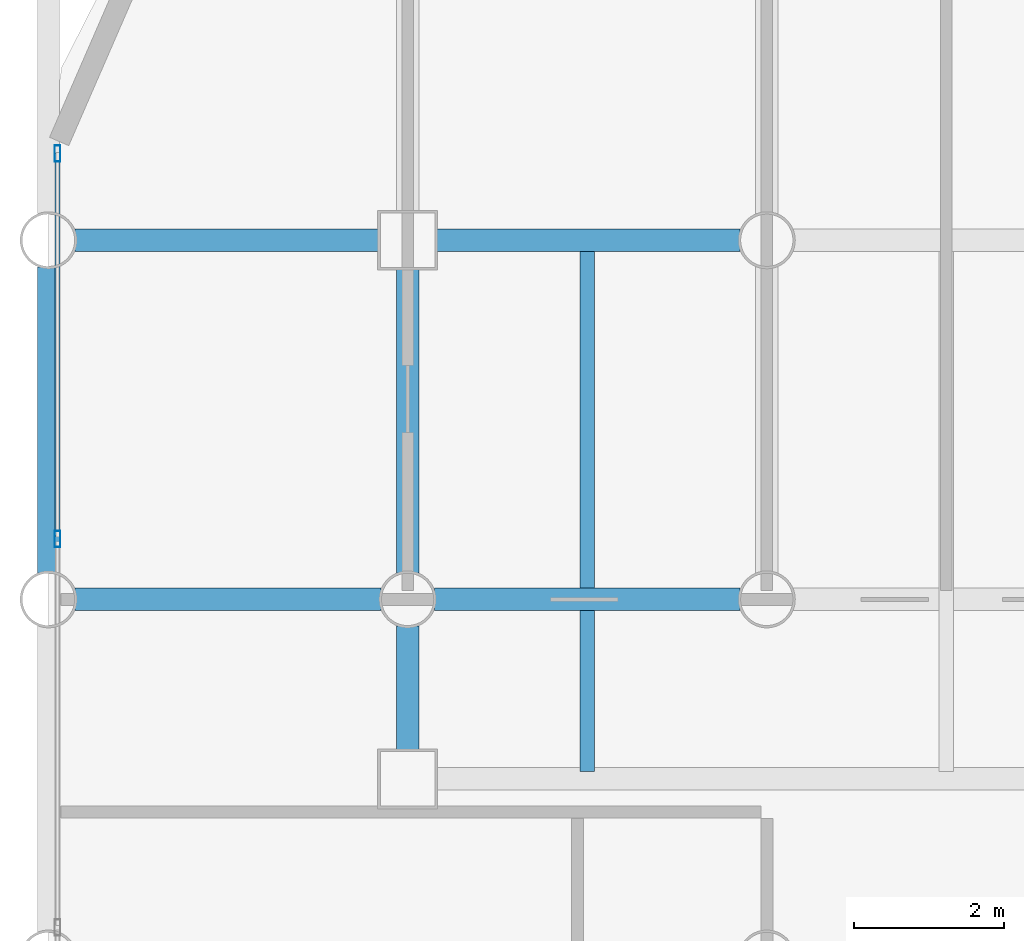
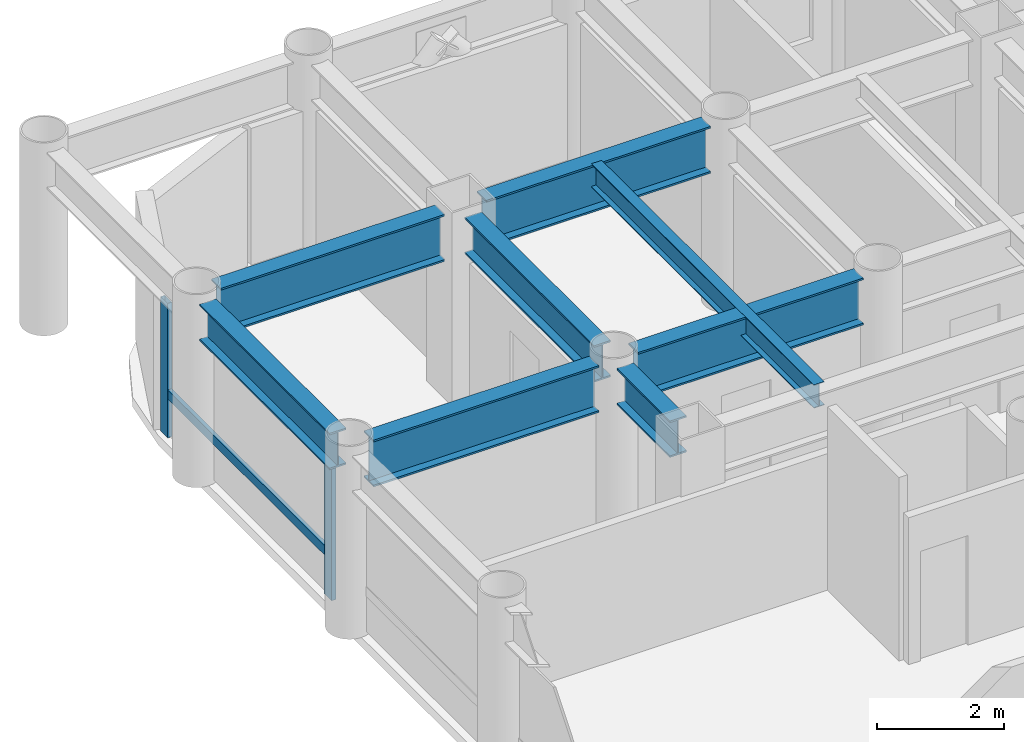
# One storey, part 9 of 20: 8 beams, 3 members, 1 element without a shape of its own.
"""IFC4 building model written with IfcOpenShell, lengths in metres."""

import ifcopenshell
import ifcopenshell.guid

model = None  # the IFC model being written
_history = None  # IfcOwnerHistory: only IFC2X3 demands one
_inside = {}  # id of a spatial element -> (the spatial element, [elements in it])
_under = {}  # id of a project, library or spatial element -> (it, [spatial elements below it])
_declared = {}  # id of a project -> (the project, [libraries it declares])
_typed = {}  # id of a type object -> (the type object, [elements of that type])
_made_of = {}  # id of a material, layer set ... -> (it, [elements and type objects made of it])


def new_model(schema):
    """Start an empty IFC model of exactly this schema.

    Asked for "IFC4X3", IfcOpenShell would pick the latest addendum, in which some entities
    have other attributes; the version numbers below select the first issue.
    IFC2X3 requires an IfcOwnerHistory on every rooted entity: one is made here for all.
    """
    global model, _history
    if schema == "IFC4X3":
        model = ifcopenshell.file(schema_version=(4, 3, 0, 0))
    else:
        model = ifcopenshell.file(schema=schema)
    _inside.clear()
    _under.clear()
    _declared.clear()
    _typed.clear()
    _made_of.clear()
    _history = None
    if model.schema == "IFC2X3":
        org = make("IfcOrganization", Name="unknown")
        user = make(
            "IfcPersonAndOrganization",
            ThePerson=make("IfcPerson", FamilyName="unknown"),
            TheOrganization=org,
        )
        app = make(
            "IfcApplication",
            ApplicationDeveloper=org,
            Version="unknown",
            ApplicationFullName="unknown",
            ApplicationIdentifier="unknown",
        )
        _history = make(
            "IfcOwnerHistory",
            OwningUser=user,
            OwningApplication=app,
            ChangeAction="ADDED",
            CreationDate=0,
        )
    return model


def make(cls, **values):
    """One entity of the class cls with the attributes given. An attribute that is None is left unset."""
    return model.create_entity(
        cls, **{name: value for name, value in values.items() if value is not None}
    )


def rooted(cls, **values):
    """An entity with a GlobalId (a new one), such as an element, a storey or a relation."""
    return make(cls, GlobalId=ifcopenshell.guid.new(), OwnerHistory=_history, **values)


def si_unit(unit_type, name, prefix=None):
    """IfcSIUnit, for example si_unit("LENGTHUNIT", "METRE", prefix="MILLI")."""
    return make("IfcSIUnit", UnitType=unit_type, Prefix=prefix, Name=name)


def assignment(units):
    """IfcUnitAssignment: the units of a project."""
    return None if units is None else make("IfcUnitAssignment", Units=units)


def point(xyz):
    """IfcCartesianPoint."""
    return None if xyz is None else make("IfcCartesianPoint", Coordinates=xyz)


def direction(xyz):
    """IfcDirection."""
    return None if xyz is None else make("IfcDirection", DirectionRatios=xyz)


def frame(location, z_axis=None, x_axis=None):
    """IfcAxis2Placement3D, a coordinate frame: its origin and axes. An axis left out is left unset."""
    return make(
        "IfcAxis2Placement3D",
        Location=point(location),
        Axis=direction(z_axis),
        RefDirection=direction(x_axis),
    )


def frame_2d(location, x_axis=None):
    """IfcAxis2Placement2D, a coordinate frame in the plane: its origin and x axis."""
    return make(
        "IfcAxis2Placement2D", Location=point(location), RefDirection=direction(x_axis)
    )


def origin():
    """The frame at (0, 0, 0) with its axes left unset."""
    return frame((0.0, 0.0, 0.0))


def origin_2d():
    """The frame at (0, 0) in the plane with its x axis left unset."""
    return frame_2d((0.0, 0.0))


def place(relative_to, where):
    """IfcLocalPlacement: puts the frame where relative to a parent placement (None: the world)."""
    return make(
        "IfcLocalPlacement", PlacementRelTo=relative_to, RelativePlacement=where
    )


def context(
    kind, dimensions, precision=None, world=None, true_north=None, identifier=None
):
    """IfcGeometricRepresentationContext, for example the 3D "Model" context."""
    return make(
        "IfcGeometricRepresentationContext",
        ContextIdentifier=identifier,
        ContextType=kind,
        CoordinateSpaceDimension=dimensions,
        Precision=precision,
        WorldCoordinateSystem=world,
        TrueNorth=true_north,
    )


def subcontext(parent, identifier, kind, view, scale=None):
    """IfcGeometricRepresentationSubContext, for example "Body" below "Model"."""
    return make(
        "IfcGeometricRepresentationSubContext",
        ContextIdentifier=identifier,
        ContextType=kind,
        ParentContext=parent,
        TargetScale=scale,
        TargetView=view,
    )


def project(units=None, contexts=None):
    """IfcProject with its units and contexts."""
    return rooted(
        "IfcProject",
        Name="project",
        RepresentationContexts=contexts,
        UnitsInContext=assignment(units),
    )


def spatial(cls, under=None, at=None, **own):
    """A site, building, storey or space (cls), placed at a placement, below another one or the project."""
    s = rooted(cls, ObjectPlacement=at, **own)
    if under is not None:
        _under.setdefault(under.id(), (under, []))[1].append(s)
    return s


def profile(cls, at=None, kind="AREA", **sizes):
    """A parametric profile (cls). Its sizes go by their IFC names, for example OverallWidth=200.0."""
    return make(cls, ProfileType=kind, Position=at, **sizes)


def hollow_rectangle(**sizes):
    """IfcRectangleHollowProfileDef."""
    return profile("IfcRectangleHollowProfileDef", **sizes)


def i_section(**sizes):
    """IfcIShapeProfileDef."""
    return profile("IfcIShapeProfileDef", **sizes)


def extrude(swept, where, along, depth):
    """IfcExtrudedAreaSolid: the profile swept, set in the frame where, extruded along a direction by depth."""
    return make(
        "IfcExtrudedAreaSolid",
        SweptArea=swept,
        Position=where,
        ExtrudedDirection=direction(along),
        Depth=depth,
    )


def shape(context_of_items, identifier, shape_type, items):
    """IfcShapeRepresentation: the items that make up one representation, for example the "Body"."""
    return make(
        "IfcShapeRepresentation",
        ContextOfItems=context_of_items,
        RepresentationIdentifier=identifier,
        RepresentationType=shape_type,
        Items=items,
    )


def material(Name=None, Category=None):
    """IfcMaterial."""
    return make("IfcMaterial", Name=Name, Category=Category)


def layer(
    of_material, thickness, ventilated=None, Name=None, Category=None, Priority=None
):
    """IfcMaterialLayer: one layer of a wall or slab, of a material (None: an air gap)."""
    return make(
        "IfcMaterialLayer",
        Material=of_material,
        LayerThickness=thickness,
        IsVentilated=ventilated,
        Name=Name,
        Category=Category,
        Priority=Priority,
    )


def layer_set(layers, Name=None):
    """IfcMaterialLayerSet."""
    return make("IfcMaterialLayerSet", MaterialLayers=layers, LayerSetName=Name)


def material_profile(
    of_material, cross_section, Name=None, Category=None, Priority=None
):
    """IfcMaterialProfile: a cross section and its material."""
    return make(
        "IfcMaterialProfile",
        Name=Name,
        Material=of_material,
        Profile=cross_section,
        Priority=Priority,
        Category=Category,
    )


def profile_set(profiles, Name=None, composite=None):
    """IfcMaterialProfileSet."""
    return make(
        "IfcMaterialProfileSet",
        Name=Name,
        MaterialProfiles=profiles,
        CompositeProfile=composite,
    )


def made_of(thing, what):
    """Note that an element or type object is made of a material, layer set ...; save() writes the relation."""
    if what is not None:
        _made_of.setdefault(what.id(), (what, []))[1].append(thing)
    return thing


def type_object(cls, material=None, **own):
    """A type object (cls), such as IfcWallType, which elements share."""
    return made_of(rooted(cls, **own), material)


def element(
    cls,
    number,
    at=None,
    inside=None,
    cuts=None,
    type_object=None,
    material=None,
    context=None,
    identifier="Body",
    shape_type=None,
    held_by="IfcProductDefinitionShape",
    body=None,
    shapes=None,
    **own,
):
    """One element of the class cls, such as IfcWall. Its Tag is "e" and its number.

    at: its placement. inside: the storey or other place that contains it. cuts: it is an
    opening in that element (IfcRelVoidsElement). A single representation is given by context,
    identifier, shape_type and body (its items); several are given by shapes. held_by: the class
    of the entity that holds the representations. save() writes the other relations.
    """
    e = rooted(cls, Tag="e%d" % number, ObjectPlacement=at, **own)
    if body is not None:
        shapes = [shape(context, identifier, shape_type, body)]
    if shapes is not None:
        e.Representation = make(held_by, Representations=shapes)
    if inside is not None:
        _inside.setdefault(inside.id(), (inside, []))[1].append(e)
    if cuts is not None:
        rooted(
            "IfcRelVoidsElement", RelatingBuildingElement=cuts, RelatedOpeningElement=e
        )
    if type_object is not None:
        _typed.setdefault(type_object.id(), (type_object, []))[1].append(e)
    return made_of(e, material)


def aggregate(whole, parts):
    """IfcRelAggregates: a whole, such as a stair, and the parts it consists of."""
    return rooted("IfcRelAggregates", RelatingObject=whole, RelatedObjects=parts)


def save(model, path):
    """Write the relations noted so far, then the file.

    IfcRelAggregates (storeys below a building ...), IfcRelContainedInSpatialStructure (elements
    in a storey), IfcRelDefinesByType, IfcRelAssociatesMaterial and IfcRelDeclares: one each for
    every whole, place, type object, material and project.
    """
    for whole, parts in _under.values():
        aggregate(whole, parts)
    for where, things in _inside.values():
        rooted(
            "IfcRelContainedInSpatialStructure",
            RelatedElements=things,
            RelatingStructure=where,
        )
    for kind, things in _typed.values():
        rooted("IfcRelDefinesByType", RelatedObjects=things, RelatingType=kind)
    for what, things in _made_of.values():
        rooted("IfcRelAssociatesMaterial", RelatedObjects=things, RelatingMaterial=what)
    for by, libraries in _declared.values():
        rooted("IfcRelDeclares", RelatingContext=by, RelatedDefinitions=libraries)
    model.write(path)


model = new_model("IFC4")

# Units and contexts
model_context = context("Model", 3, precision=1e-05, world=origin(), true_north=direction((0.0, 1.0)))
body_context = subcontext(model_context, "Body", "Model", "MODEL_VIEW")
ifc_project = project(units=[si_unit("LENGTHUNIT", "METRE"), si_unit("AREAUNIT", "SQUARE_METRE"), si_unit("VOLUMEUNIT", "CUBIC_METRE"), si_unit("PLANEANGLEUNIT", "RADIAN"), si_unit("MASSUNIT", "GRAM", prefix="KILO")], contexts=[model_context])

# Site, building, storey
site_placement = place(None, origin())
site = spatial("IfcSite", under=ifc_project, at=site_placement, CompositionType="ELEMENT")
building_placement = place(site_placement, origin())
building = spatial("IfcBuilding", under=site, at=building_placement, Name="Kallvorn Hotel Tower", CompositionType="ELEMENT")
storey_placement = place(building_placement, frame((0.0, 0.0, 78.10009765625)))
storey = spatial("IfcBuildingStorey", under=building, at=storey_placement, Name="L18", CompositionType="ELEMENT", Elevation=78.10009765625)

# Beams
ifc_material_1 = material(Name="Structural steel S355JR", Category="steel")
ifc_material_profile_1 = material_profile(ifc_material_1, i_section(OverallWidth=0.300048828125, OverallDepth=0.699951171875, WebThickness=0.01708984375, FlangeThickness=0.031982421875, at=origin_2d()), Name="HE 700 B")
ifc_profile_set_1 = profile_set([ifc_material_profile_1], Name="Structural steel S355JR")
beam_type_1 = type_object("IfcBeamType", Name="BM_HE700B", PredefinedType="BEAM", material=ifc_profile_set_1)
beam_1_placement = place(storey_placement, frame((-28.800048828125, 9.9560546875, 3.169921875), z_axis=(0.0, 1.0, 0.0), x_axis=(-1.0, 0.0, 0.0)))
element("IfcBeam", 1, at=beam_1_placement, inside=storey, type_object=beam_type_1, Name="L19 Primary Y-Girder 79", PredefinedType="BEAM", context=body_context, shape_type="SweptSolid", body=[
    extrude(i_section(OverallWidth=0.300048828125, OverallDepth=0.699951171875, WebThickness=0.01708984375, FlangeThickness=0.031982421875, at=origin_2d()), origin(), (0.0, 0.0, 1.0), 4.087890625),
])
beam_2_placement = place(storey_placement, frame((-24.0, 7.574951171875, 3.169921875), z_axis=(0.0, 1.0, 0.0), x_axis=(-1.0, 0.0, 0.0)))
element("IfcBeam", 2, at=beam_2_placement, inside=storey, type_object=beam_type_1, Name="L19 Primary Y-Girder 85", PredefinedType="BEAM", context=body_context, shape_type="SweptSolid", body=[
    extrude(i_section(OverallWidth=0.300048828125, OverallDepth=0.699951171875, WebThickness=0.01708984375, FlangeThickness=0.031982421875, at=origin_2d()), origin(), (0.0, 0.0, 1.0), 1.6689453125),
])
beam_3_placement = place(storey_placement, frame((-24.0, 9.9560546875, 3.169921875), z_axis=(0.0, 1.0, 0.0), x_axis=(-1.0, 0.0, 0.0)))
element("IfcBeam", 3, at=beam_3_placement, inside=storey, type_object=beam_type_1, Name="L19 Primary Y-Girder 86", PredefinedType="BEAM", context=body_context, shape_type="SweptSolid", body=[
    extrude(i_section(OverallWidth=0.300048828125, OverallDepth=0.699951171875, WebThickness=0.01708984375, FlangeThickness=0.031982421875, at=origin_2d()), origin(), (0.0, 0.0, 1.0), 4.06884765625),
])
ifc_material_2 = material(Name="Structural steel S355JR", Category="steel")
ifc_material_profile_2 = material_profile(ifc_material_2, i_section(OverallWidth=0.300048828125, OverallDepth=0.89990234375, WebThickness=0.0185546875, FlangeThickness=0.034912109375, at=origin_2d()), Name="HE 900 B")
ifc_profile_set_2 = profile_set([ifc_material_profile_2], Name="Structural steel S355JR")
beam_type_2 = type_object("IfcBeamType", Name="BM_HE900B", PredefinedType="BEAM", material=ifc_profile_set_2)
for number, where, z_axis, x_axis, name in (
    (4, (-28.444091796875, 9.60009765625, 3.06982421875), (1.0, 0.0, 0.0), (0.0, 1.0, 0.0), "L19 Primary X-Girder 42"),
    (5, (-23.64404296875, 9.60009765625, 3.06982421875), (1.0, 0.0, 0.0), (0.0, 1.0, 0.0), "L19 Primary X-Girder 43"),
):
    element("IfcBeam", number, at=place(storey_placement, frame(where, z_axis=z_axis, x_axis=x_axis)), inside=storey, type_object=beam_type_2, Name=name, PredefinedType="BEAM", context=body_context, shape_type="SweptSolid", body=[
        extrude(i_section(OverallWidth=0.300048828125, OverallDepth=0.89990234375, WebThickness=0.0185546875, FlangeThickness=0.034912109375, at=origin_2d()), origin(), (0.0, 0.0, 1.0), 4.088134765625),
    ])
for number, where, z_axis, x_axis, name in (
    (6, (-28.444091796875, 14.39990234375, 3.06982421875), (1.0, 0.0, 0.0), (0.0, 1.0, 0.0), "L19 Primary X-Girder 51"),
    (7, (-23.625, 14.39990234375, 3.06982421875), (1.0, 0.0, 0.0), (0.0, 1.0, 0.0), "L19 Primary X-Girder 52"),
):
    element("IfcBeam", number, at=place(storey_placement, frame(where, z_axis=z_axis, x_axis=x_axis)), inside=storey, type_object=beam_type_2, Name=name, PredefinedType="BEAM", context=body_context, shape_type="SweptSolid", body=[
        extrude(i_section(OverallWidth=0.300048828125, OverallDepth=0.89990234375, WebThickness=0.0185546875, FlangeThickness=0.034912109375, at=origin_2d()), origin(), (0.0, 0.0, 1.0), 4.069091796875),
    ])
ifc_material_3 = material(Name="Structural steel S355JR", Category="steel")
ifc_material_profile_3 = material_profile(ifc_material_3, i_section(OverallWidth=0.18994140625, OverallDepth=0.449951171875, WebThickness=0.009521484375, FlangeThickness=0.0146484375, at=origin_2d()), Name="IPE 450")
ifc_profile_set_3 = profile_set([ifc_material_profile_3], Name="Structural steel S355JR")
beam_type_3 = type_object("IfcBeamType", Name="BM_IPE450", PredefinedType="JOIST", material=ifc_profile_set_3)
beam_4_placement = place(storey_placement, frame((-21.60009765625, 7.300048828125, 3.294921875), z_axis=(0.0, 1.0, 0.0), x_axis=(-1.0, 0.0, 0.0)))
element("IfcBeam", 8, at=beam_4_placement, inside=storey, type_object=beam_type_3, Name="L19 Secondary Composite Joist 193", PredefinedType="JOIST", context=body_context, shape_type="SweptSolid", body=[
    extrude(i_section(OverallWidth=0.18994140625, OverallDepth=0.449951171875, WebThickness=0.009521484375, FlangeThickness=0.0146484375, at=origin_2d()), origin(), (0.0, 0.0, 1.0), 7.0),
])

# Curtain wall, members
ifc_material_4 = material(Name="Thermally broken black-anodised aluminium AA 6063-T6", Category="aluminium")
ifc_layer = layer(ifc_material_4, 0.199951171875)
ifc_layer_set = layer_set([ifc_layer], Name="CW_SYS_3_HOTEL_LOW")
curtain_wall_type = type_object("IfcCurtainWallType", Name="CW_SYS_3_HOTEL_LOW", PredefinedType="USERDEFINED", material=ifc_layer_set)
curtain_wall_placement = place(storey_placement, origin())
curtain_wall = element("IfcCurtainWall", 9, at=curtain_wall_placement, inside=storey, type_object=curtain_wall_type, Name="L18 Dark-Glass Curtain Wall CW-L18-WN", ObjectType="UNITISED CURTAIN WALL", PredefinedType="USERDEFINED")
ifc_material_5 = material(Name="Thermally broken black-anodised aluminium AA 6063-T6", Category="aluminium")
ifc_material_profile_4 = material_profile(ifc_material_5, hollow_rectangle(XDim=0.080078125, YDim=0.219970703125, WallThickness=0.0048828125, at=origin_2d()), Name="MUL 220x80")
ifc_profile_set_4 = profile_set([ifc_material_profile_4], Name="Thermally broken black-anodised aluminium AA 6063-T6")
member_type_1 = type_object("IfcMemberType", Name="CW_MULLION_220x80", PredefinedType="MULLION", material=ifc_profile_set_4)
member_1_placement = place(storey_placement, frame((-28.679931640625, 10.40673828125, 0.02001953125), z_axis=(0.0, 0.0, 1.0), x_axis=(1.0, 0.0, 0.0)))
member_1 = element("IfcMember", 10, at=member_1_placement, type_object=member_type_1, Name="CW-L18-WN Mullion 02", PredefinedType="MULLION", context=body_context, shape_type="SweptSolid", body=[
    extrude(hollow_rectangle(XDim=0.080078125, YDim=0.219970703125, WallThickness=0.0048828125, at=origin_2d()), origin(), (0.0, 0.0, 1.0), 2.579833984375),
])
member_2_placement = place(storey_placement, frame((-28.679931640625, 15.56005859375, 0.02001953125), z_axis=(0.0, 0.0, 1.0), x_axis=(1.0, 0.0, 0.0)))
member_2 = element("IfcMember", 11, at=member_2_placement, type_object=member_type_1, Name="CW-L18-WN Mullion 03", PredefinedType="MULLION", context=body_context, shape_type="SweptSolid", body=[
    extrude(hollow_rectangle(XDim=0.080078125, YDim=0.219970703125, WallThickness=0.0048828125, at=origin_2d()), origin(), (0.0, 0.0, 1.0), 2.579833984375),
])
ifc_material_6 = material(Name="Thermally broken black-anodised aluminium AA 6063-T6", Category="aluminium")
ifc_material_profile_5 = material_profile(ifc_material_6, hollow_rectangle(XDim=0.070068359375, YDim=0.179931640625, WallThickness=0.00390625, at=origin_2d()), Name="TRN 180x70")
ifc_profile_set_5 = profile_set([ifc_material_profile_5], Name="Thermally broken black-anodised aluminium AA 6063-T6")
member_type_2 = type_object("IfcMemberType", Name="CW_TRANSOM_180x70", PredefinedType="USERDEFINED", material=ifc_profile_set_5)
member_3_placement = place(storey_placement, frame((-28.679931640625, 10.44677734375, 0.849853515625), z_axis=(0.0, 1.0, 0.0), x_axis=(-1.0, 0.0, 0.0)))
member_3 = element("IfcMember", 12, at=member_3_placement, type_object=member_type_2, Name="CW-L18-WN Transom 02M", ObjectType="TRANSOM", PredefinedType="USERDEFINED", context=body_context, shape_type="SweptSolid", body=[
    extrude(hollow_rectangle(XDim=0.070068359375, YDim=0.179931640625, WallThickness=0.00390625, at=origin_2d()), origin(), (0.0, 0.0, 1.0), 5.11328125),
])
aggregate(curtain_wall, [member_1, member_2, member_3])

save(model, "model.ifc")
